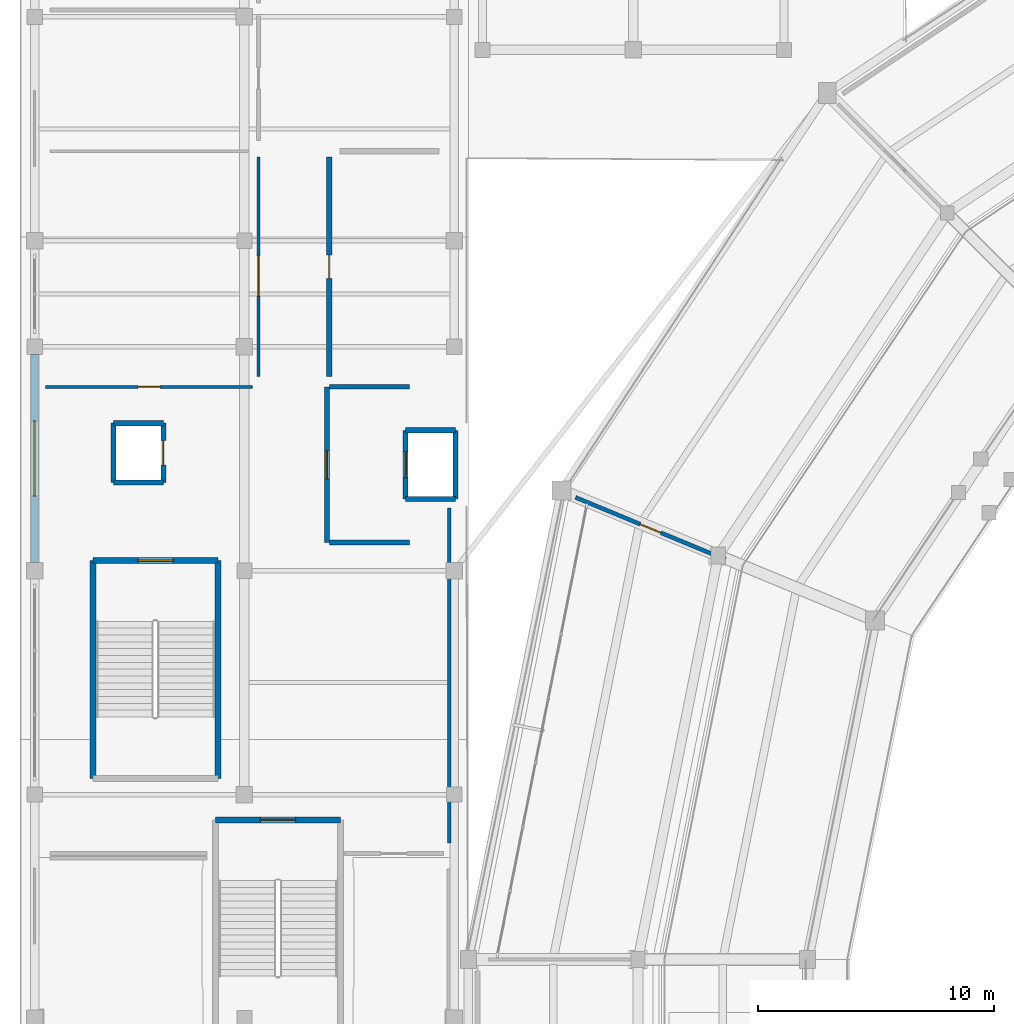
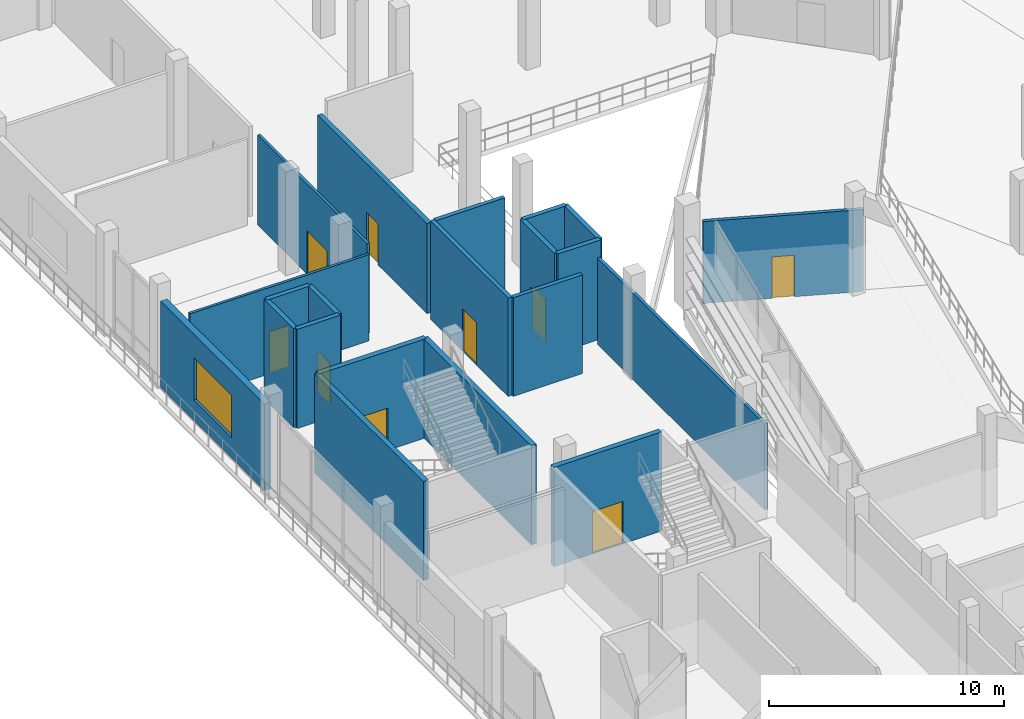
# One storey, part 77 of 127: 21 walls, 9 doors, 1 window, 10 openings.
"""IFC4 building model written with IfcOpenShell, lengths in metres."""

from ifc_helpers import new_model, si_unit, direction, frame, frame_2d, origin, place, context, subcontext, project, spatial, rectangle, extrude, material, layer, layer_set, type_object, element, fill, save


model = new_model("IFC4")

# Units and contexts
model_context = context("Model", 3, precision=1e-05, world=origin(), true_north=direction((0.0, 1.0)))
body_context = subcontext(model_context, "Body", "Model", "MODEL_VIEW")
ifc_project = project(units=[si_unit("LENGTHUNIT", "METRE"), si_unit("AREAUNIT", "SQUARE_METRE"), si_unit("VOLUMEUNIT", "CUBIC_METRE"), si_unit("PLANEANGLEUNIT", "RADIAN"), si_unit("MASSUNIT", "GRAM", prefix="KILO")], contexts=[model_context])

# Site, building, storey
site_placement = place(None, origin())
site = spatial("IfcSite", under=ifc_project, at=site_placement, CompositionType="ELEMENT")
building_placement = place(site_placement, origin())
building = spatial("IfcBuilding", under=site, at=building_placement, Name="Candeia Ridge Stadium", CompositionType="ELEMENT")
storey_placement = place(building_placement, frame((0.0, 0.0, 10.800048828125)))
storey = spatial("IfcBuildingStorey", under=building, at=storey_placement, Name="L02", CompositionType="ELEMENT", Elevation=10.800048828125)

# Walls
ifc_material_1 = material(Name="Concrete Masonry Blockwork C25/30", Category="masonry")
ifc_layer_1 = layer(ifc_material_1, 0.14990234375, Name="Concrete Masonry Blockwork C25/30", Category="masonry")
ifc_layer_set_1 = layer_set([ifc_layer_1], Name="Concrete Masonry Blockwork C25/30")
wall_type_1 = type_object("IfcWallType", Name="Concourse Kiosk Partition 150", PredefinedType="PARTITIONING", material=ifc_layer_set_1)
wall_1_placement = place(storey_placement, frame((18.199951171875, 114.159912109375, 0.0), z_axis=(0.0, 0.0, 1.0), x_axis=(0.0, -1.0, 0.0)))
element("IfcWall", 1, at=wall_1_placement, inside=storey, type_object=wall_type_1, Name="Demising partition PT-L02-0349", PredefinedType="PARTITIONING", context=body_context, shape_type="SweptSolid", body=[
    extrude(rectangle(XDim=14.2099609375, YDim=0.14990234375, at=frame_2d((7.10498046875, 0.0))), origin(), (0.0, 0.0, 1.0), 4.48486328125),
])
ifc_material_2 = material(Name="Concrete C40/50", Category="concrete")
ifc_layer_2 = layer(ifc_material_2, 0.25, Name="Concrete C40/50", Category="concrete")
ifc_layer_set_2 = layer_set([ifc_layer_2], Name="Concrete C40/50")
wall_type_2 = type_object("IfcWallType", Name="Core Shear Wall Concrete 250", PredefinedType="SHEAR", material=ifc_layer_set_2)
for number, where, z_axis, x_axis, name in (
    (2, (3.075439453125, 111.924560546875, 0.0), (0.0, 0.0, 1.0), (0.0, -1.0, 0.0), "Core C06 left shear wall L02"),
    (3, (8.37451171875, 102.67529296875, 0.0), (0.0, 0.0, 1.0), (0.0, 1.0, 0.0), "Core C06 right shear wall L02"),
):
    element("IfcWall", number, at=place(storey_placement, frame(where, z_axis=z_axis, x_axis=x_axis)), inside=storey, type_object=wall_type_2, Name=name, PredefinedType="SHEAR", context=body_context, shape_type="SweptSolid", body=[
        extrude(rectangle(XDim=9.249267578125, YDim=0.25, at=frame_2d((4.62451171875, 0.0))), origin(), (0.0, 0.0, 1.0), 5.14990234375),
    ])

# Wall, opening, door
wall_2_placement = place(storey_placement, frame((8.37451171875, 111.924560546875, 0.0), z_axis=(0.0, 0.0, 1.0), x_axis=(-1.0, 0.0, 0.0)))
wall_2 = element("IfcWall", 4, at=wall_2_placement, inside=storey, type_object=wall_type_2, Name="Core C06 near shear wall L02", PredefinedType="SHEAR", context=body_context, shape_type="SweptSolid", body=[
    extrude(rectangle(XDim=5.299072265625, YDim=0.25, at=frame_2d((2.6494140625, 0.0))), origin(), (0.0, 0.0, 1.0), 5.14990234375),
])
opening_1_placement = place(wall_2_placement, frame((1.899658203125, 0.0, 0.0)))
opening_1 = element("IfcOpeningElement", 5, at=opening_1_placement, cuts=wall_2, Name="Opening FD01", PredefinedType="OPENING", context=body_context, shape_type="SweptSolid", body=[
    extrude(rectangle(XDim=1.5, YDim=2.199951171875, at=frame_2d((0.75, 1.10009765625))), frame((0.0, 0.135009765625, 0.0), z_axis=(0.0, -1.0, 0.0), x_axis=(1.0, 0.0, 0.0)), (0.0, 0.0, 1.0), 0.27001953125),
])
ifc_material_3 = material(Name="Galvanized Fire-Rated Steel", Category="steel")
door_type_1 = type_object("IfcDoorType", Name="Exit Stair Core Fire Door 1500x2200", OperationType="NOTDEFINED", PredefinedType="DOOR", material=ifc_material_3)
door_1_placement = place(opening_1_placement, origin())
door_1 = element("IfcDoor", 6, at=door_1_placement, inside=storey, type_object=door_type_1, Name="Exit stair fire door SD-ST06-L02", OperationType="DOUBLE_DOOR_SINGLE_SWING", OverallHeight=2.199951171875, OverallWidth=1.5, PredefinedType="DOOR", context=body_context, shape_type="SweptSolid", body=[
    extrude(rectangle(XDim=1.5, YDim=2.199951171875, at=frame_2d((0.75, 1.10009765625))), frame((0.0, 0.02490234375, 0.0), z_axis=(0.0, -1.0, 0.0), x_axis=(1.0, 0.0, 0.0)), (0.0, 0.0, 1.0), 0.050048828125),
])
fill(opening_1, door_1)

wall_3_placement = place(storey_placement, frame((13.57470703125, 100.924560546875, 0.0), z_axis=(0.0, 0.0, 1.0), x_axis=(-1.0, 0.0, 0.0)))
wall_3 = element("IfcWall", 7, at=wall_3_placement, inside=storey, type_object=wall_type_2, Name="Core C08 near shear wall L02", PredefinedType="SHEAR", context=body_context, shape_type="SweptSolid", body=[
    extrude(rectangle(XDim=5.29931640625, YDim=0.25, at=frame_2d((2.649658203125, 0.0))), origin(), (0.0, 0.0, 1.0), 5.14990234375),
])
opening_2_placement = place(wall_3_placement, frame((1.899658203125, 0.0, 0.0)))
opening_2 = element("IfcOpeningElement", 8, at=opening_2_placement, cuts=wall_3, Name="Opening FD01", PredefinedType="OPENING", context=body_context, shape_type="SweptSolid", body=[
    extrude(rectangle(XDim=1.5, YDim=2.199951171875, at=frame_2d((0.75, 1.10009765625))), frame((0.0, 0.135009765625, 0.0), z_axis=(0.0, -1.0, 0.0), x_axis=(1.0, 0.0, 0.0)), (0.0, 0.0, 1.0), 0.27001953125),
])
door_2_placement = place(opening_2_placement, origin())
door_2 = element("IfcDoor", 9, at=door_2_placement, inside=storey, type_object=door_type_1, Name="Exit stair fire door SD-ST08-L02", OperationType="DOUBLE_DOOR_SINGLE_SWING", OverallHeight=2.199951171875, OverallWidth=1.5, PredefinedType="DOOR", context=body_context, shape_type="SweptSolid", body=[
    extrude(rectangle(XDim=1.5, YDim=2.199951171875, at=frame_2d((0.75, 1.10009765625))), frame((0.0, 0.02490234375, 0.0), z_axis=(0.0, -1.0, 0.0), x_axis=(1.0, 0.0, 0.0)), (0.0, 0.0, 1.0), 0.050048828125),
])
fill(opening_2, door_2)

ifc_material_4 = material(Name="Moisture-Resistant Masonry & Tile", Category="masonry")
ifc_layer_3 = layer(ifc_material_4, 0.22998046875, Name="Moisture-Resistant Masonry & Tile", Category="masonry")
ifc_layer_set_3 = layer_set([ifc_layer_3], Name="Moisture-Resistant Masonry & Tile")
wall_type_3 = type_object("IfcWallType", Name="Dressing Suite Wet-Wall Chase 230", PredefinedType="PLUMBINGWALL", material=ifc_layer_set_3)
wall_4_placement = place(storey_placement, frame((13.10009765625, 119.75, 0.0), z_axis=(0.0, 0.0, 1.0), x_axis=(0.0, 1.0, 0.0)))
wall_4 = element("IfcWall", 10, at=wall_4_placement, inside=storey, type_object=wall_type_3, Name="Interior partition PT-L02-0352", PredefinedType="PLUMBINGWALL", context=body_context, shape_type="SweptSolid", body=[
    extrude(rectangle(XDim=9.300048828125, YDim=0.22998046875, at=frame_2d((4.64990234375, 0.0))), origin(), (0.0, 0.0, 1.0), 4.677978515625),
])
opening_3_placement = place(wall_4_placement, frame((4.159912109375, 0.0, 0.0)))
opening_3 = element("IfcOpeningElement", 11, at=opening_3_placement, cuts=wall_4, Name="Opening ID12", PredefinedType="OPENING", context=body_context, shape_type="SweptSolid", body=[
    extrude(rectangle(XDim=0.97998046875, YDim=2.14990234375, at=frame_2d((0.489990234375, 1.074951171875))), frame((0.0, 0.125, 0.0), z_axis=(0.0, -1.0, 0.0), x_axis=(1.0, 0.0, 0.0)), (0.0, 0.0, 1.0), 0.25),
])
ifc_material_5 = material(Name="Acoustic Timber Studio Leaf", Category="wood")
door_type_2 = type_object("IfcDoorType", Name="Commentary Booth Acoustic Door 980x2150", OperationType="NOTDEFINED", PredefinedType="DOOR", material=ifc_material_5)
door_3_placement = place(opening_3_placement, origin())
door_3 = element("IfcDoor", 12, at=door_3_placement, inside=storey, type_object=door_type_2, Name="Interior room door D-L02-0182", OperationType="SINGLE_SWING_LEFT", OverallHeight=2.14990234375, OverallWidth=0.97998046875, PredefinedType="DOOR", context=body_context, shape_type="SweptSolid", body=[
    extrude(rectangle(XDim=0.97998046875, YDim=2.14990234375, at=frame_2d((0.489990234375, 1.074951171875))), frame((0.0, 0.02490234375, 0.0), z_axis=(0.0, -1.0, 0.0), x_axis=(1.0, 0.0, 0.0)), (0.0, 0.0, 1.0), 0.050048828125),
])
fill(opening_3, door_3)

# Wall, opening, window
ifc_material_6 = material(Name="Concrete C35/45", Category="concrete")
ifc_layer_4 = layer(ifc_material_6, 0.320068359375, Name="Concrete C35/45", Category="concrete")
ifc_layer_set_4 = layer_set([ifc_layer_4], Name="Concrete C35/45")
wall_type_4 = type_object("IfcWallType", Name="Exterior Cedar-Clad Insulated Wall 320", PredefinedType="SOLIDWALL", material=ifc_layer_set_4)
wall_5_placement = place(storey_placement, frame((0.60009765625, 111.837890625, 0.0), z_axis=(0.0, 0.0, 1.0), x_axis=(0.0, 1.0, 0.0)))
wall_5 = element("IfcWall", 13, at=wall_5_placement, inside=storey, type_object=wall_type_4, Name="Exterior facade wall EW-L02-0080", PredefinedType="SOLIDWALL", context=body_context, shape_type="SweptSolid", body=[
    extrude(rectangle(XDim=8.84912109375, YDim=0.320068359375, at=frame_2d((4.424560546875, 0.0))), origin(), (0.0, 0.0, 1.0), 4.48486328125),
])
opening_4_placement = place(wall_5_placement, frame((2.824462890625, 0.0, 1.050048828125)))
opening_4 = element("IfcOpeningElement", 14, at=opening_4_placement, cuts=wall_5, Name="Opening W05", PredefinedType="OPENING", context=body_context, shape_type="SweptSolid", body=[
    extrude(rectangle(XDim=3.199951171875, YDim=2.199951171875, at=frame_2d((1.60009765625, 1.10009765625))), frame((0.0, 0.169921875, 0.0), z_axis=(0.0, -1.0, 0.0), x_axis=(1.0, 0.0, 0.0)), (0.0, 0.0, 1.0), 0.340087890625),
])
ifc_material_7 = material(Name="Tempered Solar-Control Double Glazing", Category="glass")
window_type = type_object("IfcWindowType", Name="Club Dining Picture Window 3200x2200", PartitioningType="SINGLE_PANEL", PredefinedType="WINDOW", material=ifc_material_7)
window_placement = place(opening_4_placement, origin())
window = element("IfcWindow", 15, at=window_placement, inside=storey, type_object=window_type, Name="Exterior window WIN-L02-034", OverallHeight=2.199951171875, OverallWidth=3.199951171875, PartitioningType="SINGLE_PANEL", PredefinedType="WINDOW", context=body_context, shape_type="SweptSolid", body=[
    extrude(rectangle(XDim=3.199951171875, YDim=2.199951171875, at=frame_2d((1.60009765625, 1.10009765625))), frame((0.0, 0.030029296875, 0.0), z_axis=(0.0, -1.0, 0.0), x_axis=(1.0, 0.0, 0.0)), (0.0, 0.0, 1.0), 0.06005859375),
])
fill(opening_4, window)

# Walls
ifc_layer_5 = layer(ifc_material_6, 0.199951171875, Name="Concrete C35/45", Category="concrete")
ifc_layer_set_5 = layer_set([ifc_layer_5], Name="Concrete C35/45")
wall_type_5 = type_object("IfcWallType", Name="Firefighting Lobby Rated Wall 200", PredefinedType="SOLIDWALL", material=ifc_layer_set_5)
for number, where, z_axis, x_axis, name in (
    (16, (13.10009765625, 112.699951171875, 0.0), (0.0, 0.0, 1.0), (1.0, 0.0, 0.0), "Firefighting lift lobby FF2 rated wall L02 south"),
    (17, (16.5, 119.300048828125, 0.0), (0.0, 0.0, 1.0), (-1.0, 0.0, 0.0), "Firefighting lift lobby FF2 rated wall L02 north"),
):
    element("IfcWall", number, at=place(storey_placement, frame(where, z_axis=z_axis, x_axis=x_axis)), inside=storey, type_object=wall_type_5, Name=name, PredefinedType="SOLIDWALL", context=body_context, shape_type="SweptSolid", body=[
        extrude(rectangle(XDim=3.39990234375, YDim=0.199951171875, at=frame_2d((1.699951171875, 0.0))), origin(), (0.0, 0.0, 1.0), 5.119873046875),
    ])

# Wall, opening, door
wall_6_placement = place(storey_placement, frame((13.0, 119.300048828125, 0.0), z_axis=(0.0, 0.0, 1.0), x_axis=(0.0, -1.0, 0.0)))
wall_6 = element("IfcWall", 18, at=wall_6_placement, inside=storey, type_object=wall_type_5, Name="Firefighting lift lobby FF2 rated wall L02 entry", PredefinedType="SOLIDWALL", context=body_context, shape_type="SweptSolid", body=[
    extrude(rectangle(XDim=6.60009765625, YDim=0.199951171875, at=frame_2d((3.300048828125, 0.0))), origin(), (0.0, 0.0, 1.0), 5.119873046875),
])
opening_5_placement = place(wall_6_placement, frame((2.699951171875, 0.0, 0.0)))
opening_5 = element("IfcOpeningElement", 19, at=opening_5_placement, cuts=wall_6, Name="Opening FD02", PredefinedType="OPENING", context=body_context, shape_type="SweptSolid", body=[
    extrude(rectangle(XDim=1.199951171875, YDim=2.199951171875, at=frame_2d((0.60009765625, 1.10009765625))), frame((0.0, 0.10986328125, 0.0), z_axis=(0.0, -1.0, 0.0), x_axis=(1.0, 0.0, 0.0)), (0.0, 0.0, 1.0), 0.219970703125),
])
door_type_3 = type_object("IfcDoorType", Name="Firefighting Lobby Fire Door 1200x2200", OperationType="NOTDEFINED", PredefinedType="DOOR", material=ifc_material_3)
door_4_placement = place(opening_5_placement, origin())
door_4 = element("IfcDoor", 20, at=door_4_placement, inside=storey, type_object=door_type_3, Name="Firefighting lobby fire door FFD-FF2-L02", OperationType="SINGLE_SWING_LEFT", OverallHeight=2.199951171875, OverallWidth=1.199951171875, PredefinedType="DOOR", context=body_context, shape_type="SweptSolid", body=[
    extrude(rectangle(XDim=1.199951171875, YDim=2.199951171875, at=frame_2d((0.60009765625, 1.10009765625))), frame((0.0, 0.02490234375, 0.0), z_axis=(0.0, -1.0, 0.0), x_axis=(1.0, 0.0, 0.0)), (0.0, 0.0, 1.0), 0.050048828125),
])
fill(opening_5, door_4)

ifc_material_8 = material(Name="Gypsum Metal-Stud Partition", Category="gypsum")
ifc_layer_6 = layer(ifc_material_8, 0.135009765625, Name="Gypsum Metal-Stud Partition", Category="gypsum")
ifc_layer_set_6 = layer_set([ifc_layer_6], Name="Gypsum Metal-Stud Partition")
wall_type_6 = type_object("IfcWallType", Name="General Room Partition 135", PredefinedType="PARTITIONING", material=ifc_layer_set_6)
wall_7_placement = place(storey_placement, frame((10.10009765625, 129.050048828125, 0.0), z_axis=(0.0, 0.0, 1.0), x_axis=(0.0, -1.0, 0.0)))
wall_7 = element("IfcWall", 21, at=wall_7_placement, inside=storey, type_object=wall_type_6, Name="Interior partition PT-L02-0350", PredefinedType="PARTITIONING", context=body_context, shape_type="SweptSolid", body=[
    extrude(rectangle(XDim=9.300048828125, YDim=0.135009765625, at=frame_2d((4.64990234375, 0.0))), origin(), (0.0, 0.0, 1.0), 4.677978515625),
])
opening_6_placement = place(wall_7_placement, frame((4.199951171875, 0.0, 0.0)))
opening_6 = element("IfcOpeningElement", 22, at=opening_6_placement, cuts=wall_7, Name="Opening ID09", PredefinedType="OPENING", context=body_context, shape_type="SweptSolid", body=[
    extrude(rectangle(XDim=1.699951171875, YDim=2.25, at=frame_2d((0.85009765625, 1.125))), frame((0.0, 0.077392578125, 0.0), z_axis=(0.0, -1.0, 0.0), x_axis=(1.0, 0.0, 0.0)), (0.0, 0.0, 1.0), 0.155029296875),
])
ifc_material_9 = material(Name="Timber Fire-Rated Acoustic", Category="wood")
door_type_4 = type_object("IfcDoorType", Name="Founders Lounge Double Door 1700x2250", OperationType="NOTDEFINED", PredefinedType="DOOR", material=ifc_material_9)
door_5_placement = place(opening_6_placement, origin())
door_5 = element("IfcDoor", 23, at=door_5_placement, inside=storey, type_object=door_type_4, Name="Interior room door D-L02-0181", OperationType="DOUBLE_DOOR_SINGLE_SWING", OverallHeight=2.25, OverallWidth=1.699951171875, PredefinedType="DOOR", context=body_context, shape_type="SweptSolid", body=[
    extrude(rectangle(XDim=1.699951171875, YDim=2.25, at=frame_2d((0.85009765625, 1.125))), frame((0.0, 0.02490234375, 0.0), z_axis=(0.0, -1.0, 0.0), x_axis=(1.0, 0.0, 0.0)), (0.0, 0.0, 1.0), 0.050048828125),
])
fill(opening_6, door_5)

# Walls
ifc_layer_7 = layer(ifc_material_2, 0.219970703125, Name="Concrete C40/50", Category="concrete")
ifc_layer_set_7 = layer_set([ifc_layer_7], Name="Concrete C40/50")
wall_type_7 = type_object("IfcWallType", Name="Lift & Riser Shaft Wall 220", PredefinedType="SHEAR", material=ifc_layer_set_7)
wall_8_placement = place(storey_placement, frame((16.340087890625, 114.5400390625, 0.0), z_axis=(0.0, 0.0, 1.0), x_axis=(1.0, 0.0, 0.0)))
element("IfcWall", 24, at=wall_8_placement, inside=storey, type_object=wall_type_7, Name="Lift FF2 shaft wall L02 south", PredefinedType="SHEAR", context=body_context, shape_type="SweptSolid", body=[
    extrude(rectangle(XDim=2.119873046875, YDim=0.219970703125, at=frame_2d((1.06005859375, 0.0))), origin(), (0.0, 0.0, 1.0), 5.14990234375),
])
wall_9_placement = place(storey_placement, frame((18.4599609375, 114.5400390625, 0.0), z_axis=(0.0, 0.0, 1.0), x_axis=(0.0, 1.0, 0.0)))
element("IfcWall", 25, at=wall_9_placement, inside=storey, type_object=wall_type_7, Name="Lift FF2 shaft wall L02 east", PredefinedType="SHEAR", context=body_context, shape_type="SweptSolid", body=[
    extrude(rectangle(XDim=2.919921875, YDim=0.219970703125, at=frame_2d((1.4599609375, 0.0))), origin(), (0.0, 0.0, 1.0), 5.14990234375),
])
wall_10_placement = place(storey_placement, frame((18.4599609375, 117.4599609375, 0.0), z_axis=(0.0, 0.0, 1.0), x_axis=(-1.0, 0.0, 0.0)))
element("IfcWall", 26, at=wall_10_placement, inside=storey, type_object=wall_type_7, Name="Lift FF2 shaft wall L02 north", PredefinedType="SHEAR", context=body_context, shape_type="SweptSolid", body=[
    extrude(rectangle(XDim=2.119873046875, YDim=0.219970703125, at=frame_2d((1.06005859375, 0.0))), origin(), (0.0, 0.0, 1.0), 5.14990234375),
])

# Wall, opening, door
wall_11_placement = place(storey_placement, frame((16.340087890625, 117.4599609375, 0.0), z_axis=(0.0, 0.0, 1.0), x_axis=(0.0, -1.0, 0.0)))
wall_11 = element("IfcWall", 27, at=wall_11_placement, inside=storey, type_object=wall_type_7, Name="Lift FF2 shaft wall L02 west", PredefinedType="SHEAR", context=body_context, shape_type="SweptSolid", body=[
    extrude(rectangle(XDim=2.919921875, YDim=0.219970703125, at=frame_2d((1.4599609375, 0.0))), origin(), (0.0, 0.0, 1.0), 5.14990234375),
])
opening_7_placement = place(wall_11_placement, frame((0.909912109375, 0.0, 0.0)))
opening_7 = element("IfcOpeningElement", 28, at=opening_7_placement, cuts=wall_11, Name="Opening LD01", PredefinedType="OPENING", context=body_context, shape_type="SweptSolid", body=[
    extrude(rectangle(XDim=1.10009765625, YDim=2.199951171875, at=frame_2d((0.550048828125, 1.10009765625))), frame((0.0, 0.119873046875, 0.0), z_axis=(0.0, -1.0, 0.0), x_axis=(1.0, 0.0, 0.0)), (0.0, 0.0, 1.0), 0.239990234375),
])
ifc_material_10 = material(Name="Brushed Stainless Steel", Category="steel")
door_type_5 = type_object("IfcDoorType", Name="Firefighting Lift Landing Door 1100x2200", OperationType="NOTDEFINED", PredefinedType="DOOR", material=ifc_material_10)
door_6_placement = place(opening_7_placement, origin())
door_6 = element("IfcDoor", 29, at=door_6_placement, inside=storey, type_object=door_type_5, Name="Lift landing sliding door LD-FF2-L02", OperationType="DOUBLE_DOOR_SLIDING", OverallHeight=2.199951171875, OverallWidth=1.10009765625, PredefinedType="DOOR", context=body_context, shape_type="SweptSolid", body=[
    extrude(rectangle(XDim=1.10009765625, YDim=2.199951171875, at=frame_2d((0.550048828125, 1.10009765625))), frame((0.0, 0.02490234375, 0.0), z_axis=(0.0, -1.0, 0.0), x_axis=(1.0, 0.0, 0.0)), (0.0, 0.0, 1.0), 0.050048828125),
])
fill(opening_7, door_6)

# Wall
wall_12_placement = place(storey_placement, frame((3.93994140625, 115.239990234375, 0.0), z_axis=(0.0, 0.0, 1.0), x_axis=(1.0, 0.0, 0.0)))
element("IfcWall", 30, at=wall_12_placement, inside=storey, type_object=wall_type_7, Name="Lift VL2 shaft wall L02 south", PredefinedType="SHEAR", context=body_context, shape_type="SweptSolid", body=[
    extrude(rectangle(XDim=2.1201171875, YDim=0.219970703125, at=frame_2d((1.06005859375, 0.0))), origin(), (0.0, 0.0, 1.0), 5.14990234375),
])

# Wall, opening, door
wall_13_placement = place(storey_placement, frame((6.06005859375, 115.239990234375, 0.0), z_axis=(0.0, 0.0, 1.0), x_axis=(0.0, 1.0, 0.0)))
wall_13 = element("IfcWall", 31, at=wall_13_placement, inside=storey, type_object=wall_type_7, Name="Lift VL2 shaft wall L02 east", PredefinedType="SHEAR", context=body_context, shape_type="SweptSolid", body=[
    extrude(rectangle(XDim=2.52001953125, YDim=0.219970703125, at=frame_2d((1.260009765625, 0.0))), origin(), (0.0, 0.0, 1.0), 5.14990234375),
])
opening_8_placement = place(wall_13_placement, frame((0.735107421875, 0.0, 0.0)))
opening_8 = element("IfcOpeningElement", 32, at=opening_8_placement, cuts=wall_13, Name="Opening LD02", PredefinedType="OPENING", context=body_context, shape_type="SweptSolid", body=[
    extrude(rectangle(XDim=1.050048828125, YDim=2.14990234375, at=frame_2d((0.52490234375, 1.074951171875))), frame((0.0, 0.119873046875, 0.0), z_axis=(0.0, -1.0, 0.0), x_axis=(1.0, 0.0, 0.0)), (0.0, 0.0, 1.0), 0.239990234375),
])
door_type_6 = type_object("IfcDoorType", Name="Passenger Lift Landing Door 1050x2150", OperationType="NOTDEFINED", PredefinedType="DOOR", material=ifc_material_10)
door_7_placement = place(opening_8_placement, origin())
door_7 = element("IfcDoor", 33, at=door_7_placement, inside=storey, type_object=door_type_6, Name="Lift landing sliding door LD-VL2-L02", OperationType="DOUBLE_DOOR_SLIDING", OverallHeight=2.14990234375, OverallWidth=1.050048828125, PredefinedType="DOOR", context=body_context, shape_type="SweptSolid", body=[
    extrude(rectangle(XDim=1.050048828125, YDim=2.14990234375, at=frame_2d((0.52490234375, 1.074951171875))), frame((0.0, 0.02490234375, 0.0), z_axis=(0.0, -1.0, 0.0), x_axis=(1.0, 0.0, 0.0)), (0.0, 0.0, 1.0), 0.050048828125),
])
fill(opening_8, door_7)

# Walls
wall_14_placement = place(storey_placement, frame((6.06005859375, 117.760009765625, 0.0), z_axis=(0.0, 0.0, 1.0), x_axis=(-1.0, 0.0, 0.0)))
element("IfcWall", 34, at=wall_14_placement, inside=storey, type_object=wall_type_7, Name="Lift VL2 shaft wall L02 north", PredefinedType="SHEAR", context=body_context, shape_type="SweptSolid", body=[
    extrude(rectangle(XDim=2.1201171875, YDim=0.219970703125, at=frame_2d((1.06005859375, 0.0))), origin(), (0.0, 0.0, 1.0), 5.14990234375),
])
wall_15_placement = place(storey_placement, frame((3.93994140625, 117.760009765625, 0.0), z_axis=(0.0, 0.0, 1.0), x_axis=(0.0, -1.0, 0.0)))
element("IfcWall", 35, at=wall_15_placement, inside=storey, type_object=wall_type_7, Name="Lift VL2 shaft wall L02 west", PredefinedType="SHEAR", context=body_context, shape_type="SweptSolid", body=[
    extrude(rectangle(XDim=2.52001953125, YDim=0.219970703125, at=frame_2d((1.260009765625, 0.0))), origin(), (0.0, 0.0, 1.0), 5.14990234375),
])

# Wall, opening, door
ifc_material_11 = material(Name="Gypsum Acoustic Twin-Stud Assembly", Category="gypsum")
ifc_layer_8 = layer(ifc_material_11, 0.169921875, Name="Gypsum Acoustic Twin-Stud Assembly", Category="gypsum")
ifc_layer_set_8 = layer_set([ifc_layer_8], Name="Gypsum Acoustic Twin-Stud Assembly")
wall_type_8 = type_object("IfcWallType", Name="Skybox Demising Acoustic Wall 170", PredefinedType="PARTITIONING", material=ifc_layer_set_8)
wall_16_placement = place(storey_placement, frame((23.55078125, 114.61083984375, 0.0), z_axis=(0.0, 0.0, 1.0), x_axis=(0.923880834014, -0.382680290244, 0.0)))
wall_16 = element("IfcWall", 36, at=wall_16_placement, inside=storey, type_object=wall_type_8, Name="Interior partition PT-L02-0461", PredefinedType="PARTITIONING", context=body_context, shape_type="SweptSolid", body=[
    extrude(rectangle(XDim=6.89208984375, YDim=0.169921875, at=frame_2d((3.446044921875, 0.0))), origin(), (0.0, 0.0, 1.0), 4.2548828125),
])
opening_9_placement = place(wall_16_placement, frame((2.966064453125, 0.0, 0.0)))
opening_9 = element("IfcOpeningElement", 37, at=opening_9_placement, cuts=wall_16, Name="Opening ID17", PredefinedType="OPENING", context=body_context, shape_type="SweptSolid", body=[
    extrude(rectangle(XDim=0.9599609375, YDim=2.14990234375, at=frame_2d((0.47998046875, 1.074951171875))), frame((0.0, 0.094970703125, 0.0), z_axis=(0.0, -1.0, 0.0), x_axis=(1.0, 0.0, 0.0)), (0.0, 0.0, 1.0), 0.18994140625),
])
ifc_material_12 = material(Name="Solid Core Cedar Veneer", Category="wood")
door_type_7 = type_object("IfcDoorType", Name="Ticketing Office Single Door 960x2150", OperationType="NOTDEFINED", PredefinedType="DOOR", material=ifc_material_12)
door_8_placement = place(opening_9_placement, origin())
door_8 = element("IfcDoor", 38, at=door_8_placement, inside=storey, type_object=door_type_7, Name="Interior room door D-L02-0238", OperationType="SINGLE_SWING_RIGHT", OverallHeight=2.14990234375, OverallWidth=0.9599609375, PredefinedType="DOOR", context=body_context, shape_type="SweptSolid", body=[
    extrude(rectangle(XDim=0.9599609375, YDim=2.14990234375, at=frame_2d((0.47998046875, 1.074951171875))), frame((0.0, 0.02490234375, 0.0), z_axis=(0.0, -1.0, 0.0), x_axis=(1.0, 0.0, 0.0)), (0.0, 0.0, 1.0), 0.050048828125),
])
fill(opening_9, door_8)

ifc_layer_9 = layer(ifc_material_8, 0.1298828125, Name="Gypsum Metal-Stud Partition", Category="gypsum")
ifc_layer_set_9 = layer_set([ifc_layer_9], Name="Gypsum Metal-Stud Partition")
wall_type_9 = type_object("IfcWallType", Name="Ticketing Back-Office Partition 130", PredefinedType="PARTITIONING", material=ifc_layer_set_9)
wall_17_placement = place(storey_placement, frame((1.050048828125, 119.300048828125, 0.0), z_axis=(0.0, 0.0, 1.0), x_axis=(1.0, 0.0, 0.0)))
wall_17 = element("IfcWall", 39, at=wall_17_placement, inside=storey, type_object=wall_type_9, Name="Interior partition PT-L02-0346", PredefinedType="PARTITIONING", context=body_context, shape_type="SweptSolid", body=[
    extrude(rectangle(XDim=8.800048828125, YDim=0.1298828125, at=frame_2d((4.39990234375, 0.0))), origin(), (0.0, 0.0, 1.0), 4.48486328125),
])
opening_10_placement = place(wall_17_placement, frame((3.925048828125, 0.0, 0.0)))
opening_10 = element("IfcOpeningElement", 40, at=opening_10_placement, cuts=wall_17, Name="Opening ID05", PredefinedType="OPENING", context=body_context, shape_type="SweptSolid", body=[
    extrude(rectangle(XDim=0.949951171875, YDim=2.14990234375, at=frame_2d((0.47509765625, 1.074951171875))), frame((0.0, 0.074951171875, 0.0), z_axis=(0.0, -1.0, 0.0), x_axis=(1.0, 0.0, 0.0)), (0.0, 0.0, 1.0), 0.14990234375),
])
door_type_8 = type_object("IfcDoorType", Name="General Room Single Door 950x2150", OperationType="NOTDEFINED", PredefinedType="DOOR", material=ifc_material_12)
door_9_placement = place(opening_10_placement, frame((0.949951171875, 0.0, 0.0), z_axis=(0.0, 0.0, 1.0), x_axis=(-1.0, 0.0, 0.0)))
door_9 = element("IfcDoor", 41, at=door_9_placement, inside=storey, type_object=door_type_8, Name="Interior room door D-L02-0179", OperationType="SINGLE_SWING_LEFT", OverallHeight=2.14990234375, OverallWidth=0.949951171875, PredefinedType="DOOR", context=body_context, shape_type="SweptSolid", body=[
    extrude(rectangle(XDim=0.949951171875, YDim=2.14990234375, at=frame_2d((0.47509765625, 1.074951171875))), frame((0.0, 0.02490234375, 0.0), z_axis=(0.0, -1.0, 0.0), x_axis=(1.0, 0.0, 0.0)), (0.0, 0.0, 1.0), 0.050048828125),
])
fill(opening_10, door_9)

save(model, "model.ifc")
